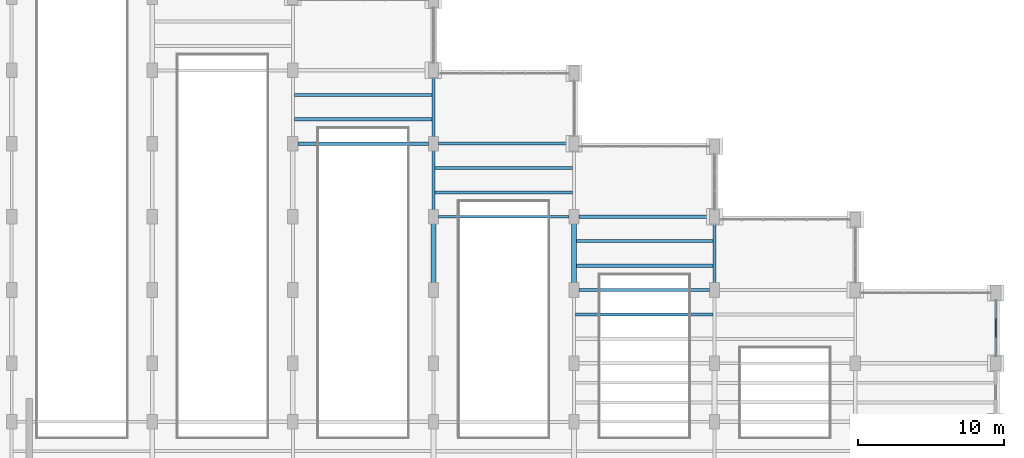
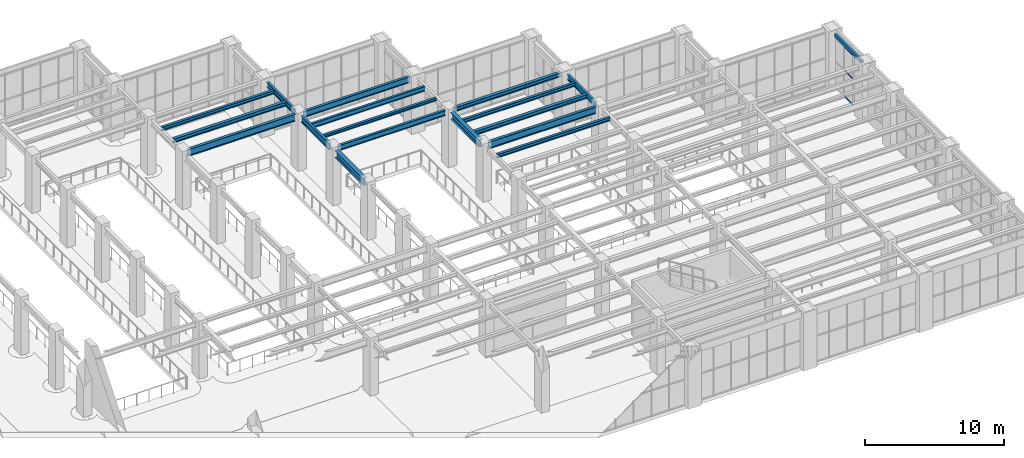
# One storey, part 112 of 174: 18 beams, 3 members, 1 element without a shape of its own.
"""IFC4 building model written with IfcOpenShell, lengths in metres."""

from ifc_helpers import new_model, si_unit, direction, frame, origin, origin_2d, place, context, subcontext, project, spatial, hollow_rectangle, i_section, extrude, material, material_profile, profile_set, type_object, element, aggregate, save


model = new_model("IFC4")

# Units and contexts
model_context = context("Model", 3, precision=1e-05, world=origin(), true_north=direction((0.0, 1.0)))
body_context = subcontext(model_context, "Body", "Model", "MODEL_VIEW")
ifc_project = project(units=[si_unit("LENGTHUNIT", "METRE"), si_unit("AREAUNIT", "SQUARE_METRE"), si_unit("VOLUMEUNIT", "CUBIC_METRE"), si_unit("PLANEANGLEUNIT", "RADIAN"), si_unit("MASSUNIT", "GRAM", prefix="KILO")], contexts=[model_context])

# Site, building, storey
site_placement = place(None, origin())
site = spatial("IfcSite", under=ifc_project, at=site_placement, CompositionType="ELEMENT")
building_placement = place(site_placement, origin())
building = spatial("IfcBuilding", under=site, at=building_placement, Name="Mavantir Sound Aquarium", CompositionType="ELEMENT")
storey_placement = place(building_placement, frame((0.0, 0.0, 5.39990234375)))
storey = spatial("IfcBuildingStorey", under=building, at=storey_placement, Name="L01", CompositionType="ELEMENT", Elevation=5.39990234375)

# Beams
ifc_material_1 = material(Name="Hollow Structural Steel ASTM A500 GrC", Category="steel")
ifc_material_profile_1 = material_profile(ifc_material_1, hollow_rectangle(XDim=0.199951171875, YDim=0.300048828125, WallThickness=0.012451171875, InnerFilletRadius=0.012451171875, OuterFilletRadius=0.02490234375, at=origin_2d()), Name="RHS 300X200X12.5")
ifc_profile_set_1 = profile_set([ifc_material_profile_1], Name="Hollow Structural Steel ASTM A500 GrC")
beam_type_1 = type_object("IfcBeamType", Name="BM-RHS300-E", PredefinedType="SPANDREL", material=ifc_profile_set_1)
beam_1_placement = place(storey_placement, frame((175.199951171875, 61.25, 4.6259765625), z_axis=(0.0, 1.0, 0.0), x_axis=(-1.0, 0.0, 0.0)))
element("IfcBeam", 1, at=beam_1_placement, inside=storey, type_object=beam_type_1, Name="L01 primary girder SS-R30 1356", PredefinedType="SPANDREL", context=body_context, shape_type="SweptSolid", body=[
    extrude(hollow_rectangle(XDim=0.199951171875, YDim=0.300048828125, WallThickness=0.012451171875, InnerFilletRadius=0.012451171875, OuterFilletRadius=0.02490234375, at=origin_2d()), origin(), (0.0, 0.0, 1.0), 3.89990234375),
])
ifc_material_2 = material(Name="Structural Steel ASTM A992 Gr50", Category="steel")
ifc_material_profile_2 = material_profile(ifc_material_2, i_section(OverallWidth=0.202880859375, OverallDepth=0.251953125, WebThickness=0.008056640625, FlangeThickness=0.013427734375, FilletRadius=0.011962890625, at=origin_2d()), Name="W250X58")
ifc_profile_set_2 = profile_set([ifc_material_profile_2], Name="Structural Steel ASTM A992 Gr50")
beam_type_2 = type_object("IfcBeamType", Name="BM-W250X58-I", PredefinedType="JOIST", material=ifc_profile_set_2)
beam_2_placement = place(storey_placement, frame((136.906005859375, 72.466796875, 4.68017578125), z_axis=(1.0, 0.0, 0.0), x_axis=(0.0, 1.0, 0.0)))
element("IfcBeam", 2, at=beam_2_placement, inside=storey, type_object=beam_type_2, Name="L01 secondary floor joist SJ-25 784", PredefinedType="JOIST", context=body_context, shape_type="SweptSolid", body=[
    extrude(i_section(OverallWidth=0.202880859375, OverallDepth=0.251953125, WebThickness=0.008056640625, FlangeThickness=0.013427734375, FilletRadius=0.011962890625, at=origin_2d()), origin(), (0.0, 0.0, 1.0), 9.387939453125),
])
ifc_material_profile_3 = material_profile(ifc_material_2, i_section(OverallWidth=0.205078125, OverallDepth=0.31005859375, WebThickness=0.009521484375, FlangeThickness=0.016357421875, FilletRadius=0.012939453125, at=origin_2d()), Name="W310X74")
ifc_profile_set_3 = profile_set([ifc_material_profile_3], Name="Structural Steel ASTM A992 Gr50")
beam_type_3 = type_object("IfcBeamType", Name="BM-W310X74-I", PredefinedType="JOIST", material=ifc_profile_set_3)
beam_3_placement = place(storey_placement, frame((146.4970703125, 64.13330078125, 4.651123046875), z_axis=(1.0, 0.0, 0.0), x_axis=(0.0, 1.0, 0.0)))
element("IfcBeam", 3, at=beam_3_placement, inside=storey, type_object=beam_type_3, Name="L01 secondary floor joist SJ-31 779", PredefinedType="JOIST", context=body_context, shape_type="SweptSolid", body=[
    extrude(i_section(OverallWidth=0.205078125, OverallDepth=0.31005859375, WebThickness=0.009521484375, FlangeThickness=0.016357421875, FilletRadius=0.012939453125, at=origin_2d()), origin(), (0.0, 0.0, 1.0), 9.39697265625),
])
beam_4_placement = place(storey_placement, frame((146.56201171875, 69.13330078125, 4.651123046875), z_axis=(1.0, 0.0, 0.0), x_axis=(0.0, 1.0, 0.0)))
element("IfcBeam", 4, at=beam_4_placement, inside=storey, type_object=beam_type_3, Name="L01 secondary floor joist SJ-31 783", PredefinedType="JOIST", context=body_context, shape_type="SweptSolid", body=[
    extrude(i_section(OverallWidth=0.205078125, OverallDepth=0.31005859375, WebThickness=0.009521484375, FlangeThickness=0.016357421875, FilletRadius=0.012939453125, at=origin_2d()), origin(), (0.0, 0.0, 1.0), 9.341064453125),
])
beam_5_placement = place(storey_placement, frame((127.305908203125, 79.13330078125, 4.651123046875), z_axis=(1.0, 0.0, 0.0), x_axis=(0.0, 1.0, 0.0)))
element("IfcBeam", 5, at=beam_5_placement, inside=storey, type_object=beam_type_3, Name="L01 secondary floor joist SJ-31 787", PredefinedType="JOIST", context=body_context, shape_type="SweptSolid", body=[
    extrude(i_section(OverallWidth=0.205078125, OverallDepth=0.31005859375, WebThickness=0.009521484375, FlangeThickness=0.016357421875, FilletRadius=0.012939453125, at=origin_2d()), origin(), (0.0, 0.0, 1.0), 9.39697265625),
])
ifc_material_profile_4 = material_profile(ifc_material_2, i_section(OverallWidth=0.257080078125, OverallDepth=0.363037109375, WebThickness=0.012939453125, FlangeThickness=0.021728515625, FilletRadius=0.014892578125, at=origin_2d()), Name="W360X122")
ifc_profile_set_4 = profile_set([ifc_material_profile_4], Name="Structural Steel ASTM A992 Gr50")
beam_type_4 = type_object("IfcBeamType", Name="BM-W360X122-I", PredefinedType="BEAM", material=ifc_profile_set_4)
beam_6_placement = place(storey_placement, frame((146.75, 70.800048828125, 4.594482421875), z_axis=(1.0, 0.0, 0.0), x_axis=(0.0, 1.0, 0.0)))
element("IfcBeam", 6, at=beam_6_placement, inside=storey, type_object=beam_type_4, Name="L01 primary beam SB-36A 1272", PredefinedType="BEAM", context=body_context, shape_type="SweptSolid", body=[
    extrude(i_section(OverallWidth=0.257080078125, OverallDepth=0.363037109375, WebThickness=0.012939453125, FlangeThickness=0.021728515625, FilletRadius=0.014892578125, at=origin_2d()), origin(), (0.0, 0.0, 1.0), 8.89990234375),
])
ifc_material_profile_5 = material_profile(ifc_material_2, i_section(OverallWidth=0.25390625, OverallDepth=0.35302734375, WebThickness=0.009521484375, FlangeThickness=0.016357421875, FilletRadius=0.014892578125, at=origin_2d()), Name="W360X91")
ifc_profile_set_5 = profile_set([ifc_material_profile_5], Name="Structural Steel ASTM A992 Gr50")
beam_type_5 = type_object("IfcBeamType", Name="BM-W360X91-I", PredefinedType="JOIST", material=ifc_profile_set_5)
beam_7_placement = place(storey_placement, frame((146.56201171875, 67.466796875, 4.629638671875), z_axis=(1.0, 0.0, 0.0), x_axis=(0.0, 1.0, 0.0)))
element("IfcBeam", 7, at=beam_7_placement, inside=storey, type_object=beam_type_5, Name="L01 secondary floor joist SJ-36 782", PredefinedType="JOIST", context=body_context, shape_type="SweptSolid", body=[
    extrude(i_section(OverallWidth=0.25390625, OverallDepth=0.35302734375, WebThickness=0.009521484375, FlangeThickness=0.016357421875, FilletRadius=0.014892578125, at=origin_2d()), origin(), (0.0, 0.0, 1.0), 9.341064453125),
])
beam_8_placement = place(storey_placement, frame((127.305908203125, 77.466796875, 4.629638671875), z_axis=(1.0, 0.0, 0.0), x_axis=(0.0, 1.0, 0.0)))
element("IfcBeam", 8, at=beam_8_placement, inside=storey, type_object=beam_type_5, Name="L01 secondary floor joist SJ-36 786", PredefinedType="JOIST", context=body_context, shape_type="SweptSolid", body=[
    extrude(i_section(OverallWidth=0.25390625, OverallDepth=0.35302734375, WebThickness=0.009521484375, FlangeThickness=0.016357421875, FilletRadius=0.014892578125, at=origin_2d()), origin(), (0.0, 0.0, 1.0), 9.39697265625),
])
ifc_material_profile_6 = material_profile(ifc_material_2, i_section(OverallWidth=0.180908203125, OverallDepth=0.4169921875, WebThickness=0.010986328125, FlangeThickness=0.018310546875, FilletRadius=0.014892578125, at=origin_2d()), Name="W410X85")
ifc_profile_set_6 = profile_set([ifc_material_profile_6], Name="Structural Steel ASTM A992 Gr50")
beam_type_6 = type_object("IfcBeamType", Name="BM-W410X85-I", PredefinedType="JOIST", material=ifc_profile_set_6)
beam_9_placement = place(storey_placement, frame((136.906005859375, 74.13330078125, 4.59765625), z_axis=(1.0, 0.0, 0.0), x_axis=(0.0, 1.0, 0.0)))
element("IfcBeam", 9, at=beam_9_placement, inside=storey, type_object=beam_type_6, Name="L01 secondary floor joist SJ-41 785", PredefinedType="JOIST", context=body_context, shape_type="SweptSolid", body=[
    extrude(i_section(OverallWidth=0.180908203125, OverallDepth=0.4169921875, WebThickness=0.010986328125, FlangeThickness=0.018310546875, FilletRadius=0.014892578125, at=origin_2d()), origin(), (0.0, 0.0, 1.0), 9.387939453125),
])
ifc_material_profile_7 = material_profile(ifc_material_2, i_section(OverallWidth=0.194091796875, OverallDepth=0.468994140625, WebThickness=0.0126953125, FlangeThickness=0.0205078125, FilletRadius=0.01611328125, at=origin_2d()), Name="W460X106")
ifc_profile_set_7 = profile_set([ifc_material_profile_7], Name="Structural Steel ASTM A992 Gr50")
beam_type_7 = type_object("IfcBeamType", Name="BM-W460X106-I", PredefinedType="BEAM", material=ifc_profile_set_7)
beam_10_placement = place(storey_placement, frame((137.14990234375, 70.800048828125, 4.571533203125), z_axis=(1.0, 0.0, 0.0), x_axis=(0.0, 1.0, 0.0)))
element("IfcBeam", 10, at=beam_10_placement, inside=storey, type_object=beam_type_7, Name="L01 primary beam SB-46 1271", PredefinedType="BEAM", context=body_context, shape_type="SweptSolid", body=[
    extrude(i_section(OverallWidth=0.194091796875, OverallDepth=0.468994140625, WebThickness=0.0126953125, FlangeThickness=0.0205078125, FilletRadius=0.01611328125, at=origin_2d()), origin(), (0.0, 0.0, 1.0), 8.900146484375),
])
for number, where, z_axis, x_axis, name in (
    (11, (136.800048828125, 76.25, 4.54150390625), (0.0, 1.0, 0.0), (-1.0, 0.0, 0.0), "L01 primary girder SB-46 1329"),
    (12, (156.0, 66.25, 4.54150390625), (0.0, 1.0, 0.0), (-1.0, 0.0, 0.0), "L01 primary girder SB-46 1344"),
):
    element("IfcBeam", number, at=place(storey_placement, frame(where, z_axis=z_axis, x_axis=x_axis)), inside=storey, type_object=beam_type_7, Name=name, PredefinedType="BEAM", context=body_context, shape_type="SweptSolid", body=[
        extrude(i_section(OverallWidth=0.194091796875, OverallDepth=0.468994140625, WebThickness=0.0126953125, FlangeThickness=0.0205078125, FilletRadius=0.01611328125, at=origin_2d()), origin(), (0.0, 0.0, 1.0), 4.10009765625),
    ])
ifc_material_profile_8 = material_profile(ifc_material_2, i_section(OverallWidth=0.2119140625, OverallDepth=0.5439453125, WebThickness=0.01318359375, FlangeThickness=0.021240234375, FilletRadius=0.01806640625, at=origin_2d()), Name="W530X123")
ifc_profile_set_8 = profile_set([ifc_material_profile_8], Name="Structural Steel ASTM A992 Gr50")
beam_type_8 = type_object("IfcBeamType", Name="BM-W530X123-I", PredefinedType="BEAM", material=ifc_profile_set_8)
beam_11_placement = place(storey_placement, frame((137.14990234375, 75.800048828125, 4.504150390625), z_axis=(1.0, 0.0, 0.0), x_axis=(0.0, 1.0, 0.0)))
element("IfcBeam", 13, at=beam_11_placement, inside=storey, type_object=beam_type_8, Name="L01 primary beam SB-53 1274", PredefinedType="BEAM", context=body_context, shape_type="SweptSolid", body=[
    extrude(i_section(OverallWidth=0.2119140625, OverallDepth=0.5439453125, WebThickness=0.01318359375, FlangeThickness=0.021240234375, FilletRadius=0.01806640625, at=origin_2d()), origin(), (0.0, 0.0, 1.0), 8.900146484375),
])
beam_12_placement = place(storey_placement, frame((136.800048828125, 71.25, 4.5341796875), z_axis=(0.0, 1.0, 0.0), x_axis=(-1.0, 0.0, 0.0)))
element("IfcBeam", 14, at=beam_12_placement, inside=storey, type_object=beam_type_8, Name="L01 primary girder SB-53 1328", PredefinedType="BEAM", context=body_context, shape_type="SweptSolid", body=[
    extrude(i_section(OverallWidth=0.2119140625, OverallDepth=0.5439453125, WebThickness=0.01318359375, FlangeThickness=0.021240234375, FilletRadius=0.01806640625, at=origin_2d()), origin(), (0.0, 0.0, 1.0), 4.10009765625),
])
ifc_material_profile_9 = material_profile(ifc_material_2, i_section(OverallWidth=0.22900390625, OverallDepth=0.612060546875, WebThickness=0.011962890625, FlangeThickness=0.01953125, FilletRadius=0.01904296875, at=origin_2d()), Name="W610X125")
ifc_profile_set_9 = profile_set([ifc_material_profile_9], Name="Structural Steel ASTM A992 Gr50")
beam_type_9 = type_object("IfcBeamType", Name="BM-W610X125-I", PredefinedType="BEAM", material=ifc_profile_set_9)
for number, where, z_axis, x_axis, name in (
    (15, (146.75, 65.800048828125, 4.5), (1.0, 0.0, 0.0), (0.0, 1.0, 0.0), "L01 primary beam SB-61B 1269"),
    (16, (127.550048828125, 75.800048828125, 4.5), (1.0, 0.0, 0.0), (0.0, 1.0, 0.0), "L01 primary beam SB-61B 1273"),
):
    element("IfcBeam", number, at=place(storey_placement, frame(where, z_axis=z_axis, x_axis=x_axis)), inside=storey, type_object=beam_type_9, Name=name, PredefinedType="BEAM", context=body_context, shape_type="SweptSolid", body=[
        extrude(i_section(OverallWidth=0.22900390625, OverallDepth=0.612060546875, WebThickness=0.011962890625, FlangeThickness=0.01953125, FilletRadius=0.01904296875, at=origin_2d()), origin(), (0.0, 0.0, 1.0), 8.89990234375),
    ])
ifc_material_profile_10 = material_profile(ifc_material_2, i_section(OverallWidth=0.323974609375, OverallDepth=0.611083984375, WebThickness=0.0126953125, FlangeThickness=0.01904296875, FilletRadius=0.01904296875, at=origin_2d()), Name="W610X155")
ifc_profile_set_10 = profile_set([ifc_material_profile_10], Name="Structural Steel ASTM A992 Gr50")
beam_type_10 = type_object("IfcBeamType", Name="BM-W610X155-I", PredefinedType="BEAM", material=ifc_profile_set_10)
for number, where, z_axis, x_axis, name in (
    (17, (136.800048828125, 66.25, 4.50048828125), (0.0, 1.0, 0.0), (-1.0, 0.0, 0.0), "L01 primary girder SB-61A 1327"),
    (18, (146.39990234375, 66.25, 4.50048828125), (0.0, 1.0, 0.0), (-1.0, 0.0, 0.0), "L01 primary girder SB-61A 1336"),
):
    element("IfcBeam", number, at=place(storey_placement, frame(where, z_axis=z_axis, x_axis=x_axis)), inside=storey, type_object=beam_type_10, Name=name, PredefinedType="BEAM", context=body_context, shape_type="SweptSolid", body=[
        extrude(i_section(OverallWidth=0.323974609375, OverallDepth=0.611083984375, WebThickness=0.0126953125, FlangeThickness=0.01904296875, FilletRadius=0.01904296875, at=origin_2d()), origin(), (0.0, 0.0, 1.0), 4.10009765625),
    ])

# Curtain wall, members
ifc_material_3 = material(Name="Anodised Marine Aluminium and Low-E Glass", Category="aluminium")
curtain_wall_type = type_object("IfcCurtainWallType", Name="CW-T11", PredefinedType="USERDEFINED", material=ifc_material_3)
curtain_wall_placement = place(storey_placement, origin())
curtain_wall = element("IfcCurtainWall", 19, at=curtain_wall_placement, inside=storey, type_object=curtain_wall_type, Name="L01 unitised curtain wall CW-11 107", ObjectType="UNITISED GLAZING", PredefinedType="USERDEFINED")
ifc_material_4 = material(Name="Anodised Marine Aluminium 6063-T6", Category="aluminium")
ifc_material_profile_11 = material_profile(ifc_material_4, hollow_rectangle(XDim=0.06005859375, YDim=0.110107421875, WallThickness=0.00390625, at=origin_2d()), Name="ALU-TRANSOM-110X60")
ifc_profile_set_11 = profile_set([ifc_material_profile_11], Name="Anodised Marine Aluminium 6063-T6")
member_type = type_object("IfcMemberType", Name="CW-TRN-110", PredefinedType="USERDEFINED", material=ifc_profile_set_11)
member_1_placement = place(storey_placement, frame((175.199951171875, 62.5693359375, 0.05517578125), z_axis=(0.0, 1.0, 0.0), x_axis=(-1.0, 0.0, 0.0)))
member_1 = element("IfcMember", 20, at=member_1_placement, type_object=member_type, Name="CW-L01-107 transom 2.1", ObjectType="TRANSOM", PredefinedType="USERDEFINED", context=body_context, shape_type="SweptSolid", body=[
    extrude(hollow_rectangle(XDim=0.06005859375, YDim=0.110107421875, WallThickness=0.00390625, at=origin_2d()), origin(), (0.0, 0.0, 1.0), 1.261474609375),
])
member_2_placement = place(storey_placement, frame((175.199951171875, 62.5693359375, 2.31201171875), z_axis=(0.0, 1.0, 0.0), x_axis=(-1.0, 0.0, 0.0)))
member_2 = element("IfcMember", 21, at=member_2_placement, type_object=member_type, Name="CW-L01-107 transom 2.2", ObjectType="TRANSOM", PredefinedType="USERDEFINED", context=body_context, shape_type="SweptSolid", body=[
    extrude(hollow_rectangle(XDim=0.06005859375, YDim=0.110107421875, WallThickness=0.00390625, at=origin_2d()), origin(), (0.0, 0.0, 1.0), 1.261474609375),
])
member_3_placement = place(storey_placement, frame((175.199951171875, 62.5693359375, 4.39111328125), z_axis=(0.0, 1.0, 0.0), x_axis=(-1.0, 0.0, 0.0)))
member_3 = element("IfcMember", 22, at=member_3_placement, type_object=member_type, Name="CW-L01-107 transom 2.3", ObjectType="TRANSOM", PredefinedType="USERDEFINED", context=body_context, shape_type="SweptSolid", body=[
    extrude(hollow_rectangle(XDim=0.06005859375, YDim=0.110107421875, WallThickness=0.00390625, at=origin_2d()), origin(), (0.0, 0.0, 1.0), 1.261474609375),
])
aggregate(curtain_wall, [member_1, member_2, member_3])

save(model, "model.ifc")
